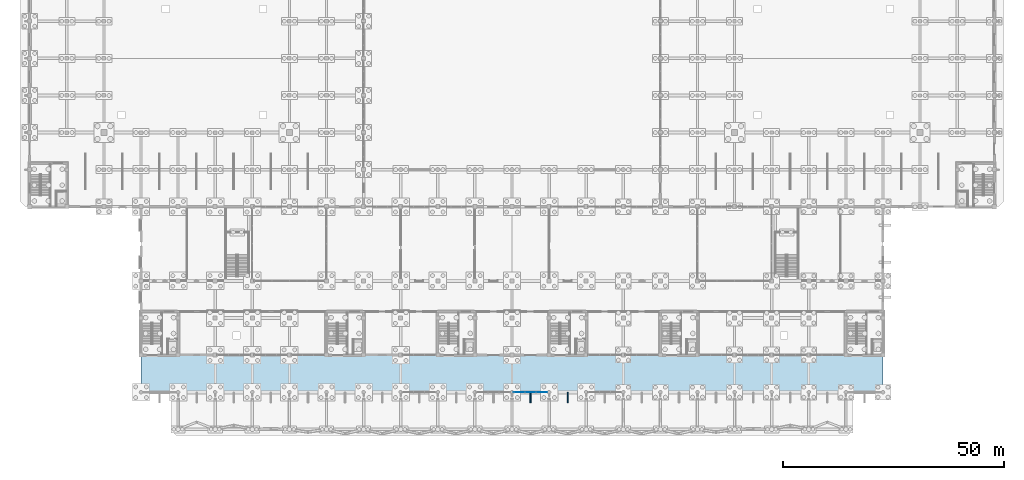
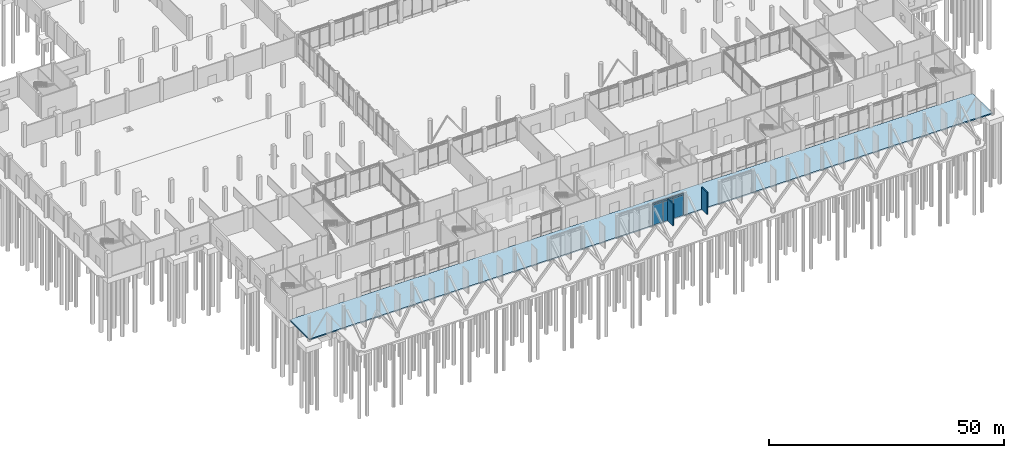
# One storey, part 41 of 72: 8 plates, 1 slab, 1 element without a shape of its own.
"""IFC4 building model written with IfcOpenShell, lengths in metres."""

from ifc_helpers import new_model, si_unit, direction, frame, frame_2d, origin, place, context, subcontext, project, spatial, polyline, rectangle, outline, extrude, material, layer, layer_set, type_object, element, aggregate, save


model = new_model("IFC4")

# Units and contexts
model_context = context("Model", 3, precision=1e-05, world=origin(), true_north=direction((0.0, 1.0)))
body_context = subcontext(model_context, "Body", "Model", "MODEL_VIEW")
ifc_project = project(units=[si_unit("LENGTHUNIT", "METRE"), si_unit("AREAUNIT", "SQUARE_METRE"), si_unit("VOLUMEUNIT", "CUBIC_METRE"), si_unit("PLANEANGLEUNIT", "RADIAN"), si_unit("MASSUNIT", "GRAM", prefix="KILO")], contexts=[model_context])

# Site, building, storey
site_placement = place(None, origin())
site = spatial("IfcSite", under=ifc_project, at=site_placement, CompositionType="ELEMENT")
building_placement = place(site_placement, origin())
building = spatial("IfcBuilding", under=site, at=building_placement, Name="Qawsi Khor Wholesale Market", CompositionType="ELEMENT")
storey_placement = place(building_placement, origin())
storey = spatial("IfcBuildingStorey", under=building, at=storey_placement, Name="L00", CompositionType="ELEMENT", Elevation=0.0)

# Slab
ifc_material_1 = material(Name="Concrete C45/55", Category="concrete")
ifc_layer_1 = layer(ifc_material_1, 0.31005859375, Name="Concrete C45/55")
ifc_layer_set_1 = layer_set([ifc_layer_1], Name="Concrete C45/55")
slab_type = type_object("IfcSlabType", Name="Arcade & Forecourt Structural Deck 310 C45/55", PredefinedType="BASESLAB", material=ifc_layer_set_1)
slab_placement = place(storey_placement, frame((0.0, 0.0, -0.31005859375)))
element("IfcSlab", 1, at=slab_placement, inside=storey, type_object=slab_type, Name="SLB-L00-ARCADE", PredefinedType="BASESLAB", context=body_context, shape_type="SweptSolid", body=[
    extrude(outline(polyline([(25.199951171875, 0.0), (193.199951171875, 0.0), (193.199951171875, 8.39990234375), (25.199951171875, 8.39990234375), (25.199951171875, 0.0)])), origin(), (0.0, 0.0, 1.0), 0.31005859375),
])

# Plates
ifc_material_2 = material(Name="Concrete C40/50", Category="concrete")
ifc_layer_2 = layer(ifc_material_2, 0.260009765625, Name="Concrete C40/50")
ifc_layer_set_2 = layer_set([ifc_layer_2], Name="Concrete C40/50")
plate_type_1 = type_object("IfcPlateType", Name="Sculpted Concrete Solar Buttress Fin 260", PredefinedType="SHEET", material=ifc_layer_set_2)
for number, where, z_axis, x_axis, name in (
    (2, (113.39990234375, -2.35009765625, 0.0), (0.0, 0.0, 1.0), (0.0, 1.0, 0.0), "Boulevard concrete solar buttress fin L00-21"),
    (3, (121.800048828125, -2.35009765625, 0.0), (0.0, 0.0, 1.0), (0.0, 1.0, 0.0), "Boulevard concrete solar buttress fin L00-23"),
):
    element("IfcPlate", number, at=place(storey_placement, frame(where, z_axis=z_axis, x_axis=x_axis)), inside=storey, type_object=plate_type_1, Name=name, PredefinedType="SHEET", context=body_context, shape_type="SweptSolid", body=[
        extrude(rectangle(XDim=2.3701171875, YDim=0.260009765625, at=frame_2d((1.18505859375, 0.0))), origin(), (0.0, 0.0, 1.0), 5.719970703125),
    ])

# Curtain wall, plates
ifc_material_3 = material(Name="Aluminium Anodised Bronze", Category="aluminium")
ifc_layer_3 = layer(ifc_material_3, 0.159912109375, Name="Aluminium Anodised Bronze")
ifc_layer_set_3 = layer_set([ifc_layer_3], Name="Aluminium Anodised Bronze")
curtain_wall_type = type_object("IfcCurtainWallType", Name="Boulevard Arcade Glazed Curtain Wall CW-01", PredefinedType="NOTDEFINED", material=ifc_layer_set_3)
curtain_wall_placement = place(storey_placement, origin())
curtain_wall = element("IfcCurtainWall", 4, at=curtain_wall_placement, inside=storey, type_object=curtain_wall_type, Name="Curtain wall CW-CW-01-L00-161", PredefinedType="NOTDEFINED")
ifc_material_4 = material(Name="Tempered Low-E Solar Glass", Category="glass")
ifc_layer_4 = layer(ifc_material_4, 0.02392578125, Name="Tempered Low-E Solar Glass")
ifc_layer_set_4 = layer_set([ifc_layer_4], Name="Tempered Low-E Solar Glass")
plate_type_2 = type_object("IfcPlateType", Name="Solar Double-Glazed Unit CW-01 24mm", PredefinedType="CURTAIN_PANEL", material=ifc_layer_set_4)
plate_1_placement = place(storey_placement, frame((109.642578125, 0.0, 0.0048828125), z_axis=(0.0, 0.0, 1.0), x_axis=(1.0, 0.0, 0.0)))
plate_1 = element("IfcPlate", 5, at=plate_1_placement, type_object=plate_type_2, Name="Curtain panel CW-CW-01-L00-161-P0_00", PredefinedType="CURTAIN_PANEL", context=body_context, shape_type="SweptSolid", body=[
    extrude(rectangle(XDim=2.5048828125, YDim=0.02392578125, at=frame_2d((1.25244140625, 0.0))), origin(), (0.0, 0.0, 1.0), 5.260009765625),
])
plate_2_placement = place(storey_placement, frame((112.1474609375, 0.0, 0.0048828125), z_axis=(0.0, 0.0, 1.0), x_axis=(1.0, 0.0, 0.0)))
plate_2 = element("IfcPlate", 6, at=plate_2_placement, type_object=plate_type_2, Name="Curtain panel CW-CW-01-L00-161-P0_01", PredefinedType="CURTAIN_PANEL", context=body_context, shape_type="SweptSolid", body=[
    extrude(rectangle(XDim=2.505126953125, YDim=0.02392578125, at=frame_2d((1.25244140625, 0.0))), origin(), (0.0, 0.0, 1.0), 5.260009765625),
])
plate_3_placement = place(storey_placement, frame((114.652587890625, 0.0, 0.0048828125), z_axis=(0.0, 0.0, 1.0), x_axis=(1.0, 0.0, 0.0)))
plate_3 = element("IfcPlate", 7, at=plate_3_placement, type_object=plate_type_2, Name="Curtain panel CW-CW-01-L00-161-P0_02", PredefinedType="CURTAIN_PANEL", context=body_context, shape_type="SweptSolid", body=[
    extrude(rectangle(XDim=2.5048828125, YDim=0.02392578125, at=frame_2d((1.25244140625, 0.0))), origin(), (0.0, 0.0, 1.0), 5.260009765625),
])
plate_4_placement = place(storey_placement, frame((109.642578125, 0.0, 5.27490234375), z_axis=(0.0, 0.0, 1.0), x_axis=(1.0, 0.0, 0.0)))
plate_4 = element("IfcPlate", 8, at=plate_4_placement, type_object=plate_type_2, Name="Curtain panel CW-CW-01-L00-161-P1_00", PredefinedType="CURTAIN_PANEL", context=body_context, shape_type="SweptSolid", body=[
    extrude(rectangle(XDim=2.5048828125, YDim=0.02392578125, at=frame_2d((1.25244140625, 0.0))), origin(), (0.0, 0.0, 1.0), 0.440185546875),
])
plate_5_placement = place(storey_placement, frame((112.1474609375, 0.0, 5.27490234375), z_axis=(0.0, 0.0, 1.0), x_axis=(1.0, 0.0, 0.0)))
plate_5 = element("IfcPlate", 9, at=plate_5_placement, type_object=plate_type_2, Name="Curtain panel CW-CW-01-L00-161-P1_01", PredefinedType="CURTAIN_PANEL", context=body_context, shape_type="SweptSolid", body=[
    extrude(rectangle(XDim=2.505126953125, YDim=0.02392578125, at=frame_2d((1.25244140625, 0.0))), origin(), (0.0, 0.0, 1.0), 0.440185546875),
])
plate_6_placement = place(storey_placement, frame((114.652587890625, 0.0, 5.27490234375), z_axis=(0.0, 0.0, 1.0), x_axis=(1.0, 0.0, 0.0)))
plate_6 = element("IfcPlate", 10, at=plate_6_placement, type_object=plate_type_2, Name="Curtain panel CW-CW-01-L00-161-P1_02", PredefinedType="CURTAIN_PANEL", context=body_context, shape_type="SweptSolid", body=[
    extrude(rectangle(XDim=2.5048828125, YDim=0.02392578125, at=frame_2d((1.25244140625, 0.0))), origin(), (0.0, 0.0, 1.0), 0.440185546875),
])
aggregate(curtain_wall, [plate_1, plate_2, plate_3, plate_4, plate_5, plate_6])

save(model, "model.ifc")
